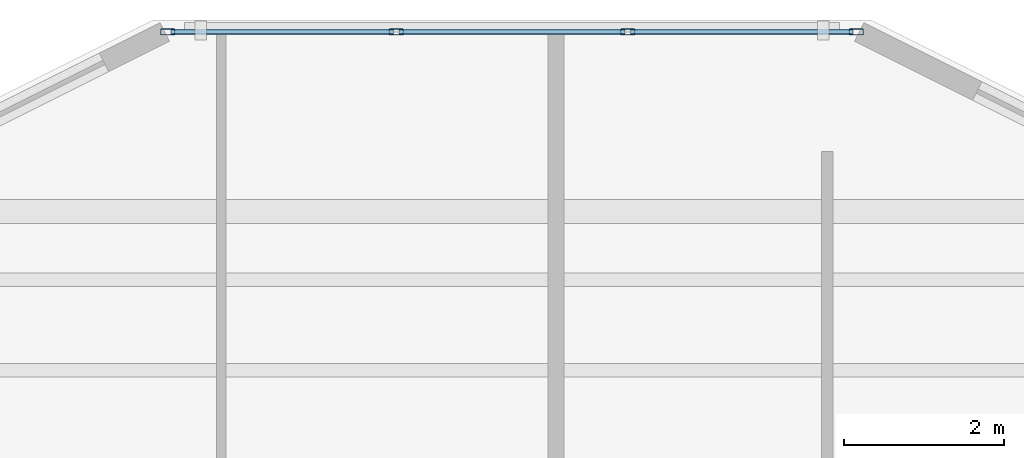
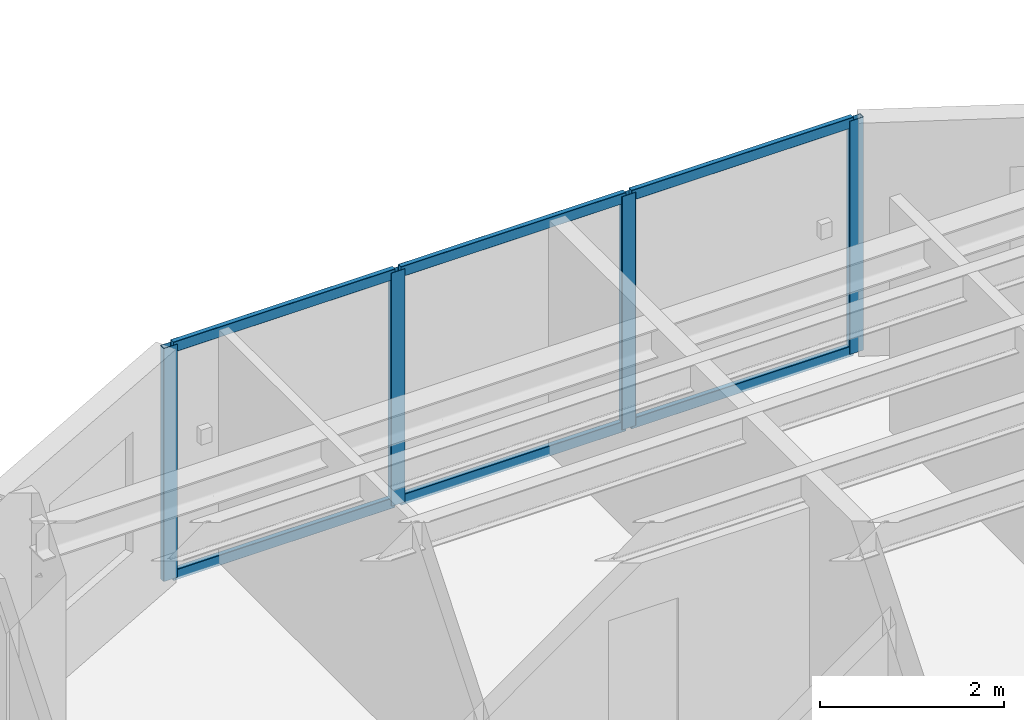
# One storey, part 4 of 13: 10 members, 1 element without a shape of its own.
"""IFC4 building model written with IfcOpenShell, lengths in metres."""

from ifc_helpers import new_model, si_unit, direction, frame, origin, origin_2d, place, context, subcontext, project, spatial, hollow_rectangle, extrude, material, layer, layer_set, material_profile, profile_set, type_object, element, aggregate, save


model = new_model("IFC4")

# Units and contexts
model_context = context("Model", 3, precision=1e-05, world=origin(), true_north=direction((0.0, 1.0)))
body_context = subcontext(model_context, "Body", "Model", "MODEL_VIEW")
ifc_project = project(units=[si_unit("LENGTHUNIT", "METRE"), si_unit("AREAUNIT", "SQUARE_METRE"), si_unit("VOLUMEUNIT", "CUBIC_METRE"), si_unit("PLANEANGLEUNIT", "RADIAN"), si_unit("MASSUNIT", "GRAM", prefix="KILO")], contexts=[model_context])

# Site, building, storey
site_placement = place(None, origin())
site = spatial("IfcSite", under=ifc_project, at=site_placement, CompositionType="ELEMENT")
building_placement = place(site_placement, origin())
building = spatial("IfcBuilding", under=site, at=building_placement, Name="Tarnavaz Court Tower", CompositionType="ELEMENT")
storey_placement = place(building_placement, frame((0.0, 0.0, 193.60009765625)))
storey = spatial("IfcBuildingStorey", under=building, at=storey_placement, Name="L52", CompositionType="ELEMENT", Elevation=193.60009765625)

# Curtain wall, members
ifc_material_1 = material(Name="Anodised Aluminium 6063-T6 and Solar Low-E Glazing", Category="aluminium")
ifc_layer = layer(ifc_material_1, 0.159912109375)
ifc_layer_set = layer_set([ifc_layer], Name="Anodised Aluminium 6063-T6 and Solar Low-E Glazing")
curtain_wall_type = type_object("IfcCurtainWallType", Name="CW-SYS-03", PredefinedType="NOTDEFINED", material=ifc_layer_set)
curtain_wall_placement = place(storey_placement, origin())
curtain_wall = element("IfcCurtainWall", 1, at=curtain_wall_placement, inside=storey, type_object=curtain_wall_type, Name="L52 Iwan Prow Curtain Wall 7", PredefinedType="NOTDEFINED")
ifc_material_2 = material(Name="Anodised Aluminium 6063-T6", Category="aluminium")
ifc_material_profile_1 = material_profile(ifc_material_2, hollow_rectangle(XDim=0.074951171875, YDim=0.179931640625, WallThickness=0.0048828125, InnerFilletRadius=0.0048828125, OuterFilletRadius=0.010009765625, at=origin_2d()), Name="ALU RHS 180X75X5")
ifc_profile_set_1 = profile_set([ifc_material_profile_1], Name="Anodised Aluminium 6063-T6")
member_type_1 = type_object("IfcMemberType", Name="CW-MUL-180", PredefinedType="MULLION", material=ifc_profile_set_1)
member_1_placement = place(storey_placement, frame((-4.3125, 22.35009765625, 0.0), z_axis=(0.0, 0.0, 1.0), x_axis=(0.0, 1.0, 0.0)))
member_1 = element("IfcMember", 2, at=member_1_placement, type_object=member_type_1, Name="CW mullion 1", PredefinedType="MULLION", context=body_context, shape_type="SweptSolid", body=[
    extrude(hollow_rectangle(XDim=0.074951171875, YDim=0.179931640625, WallThickness=0.0048828125, InnerFilletRadius=0.0048828125, OuterFilletRadius=0.010009765625, at=origin_2d()), origin(), (0.0, 0.0, 1.0), 3.099853515625),
])
member_2_placement = place(storey_placement, frame((-1.449951171875, 22.35009765625, 0.0), z_axis=(0.0, 0.0, 1.0), x_axis=(0.0, 1.0, 0.0)))
member_2 = element("IfcMember", 3, at=member_2_placement, type_object=member_type_1, Name="CW mullion 2", PredefinedType="MULLION", context=body_context, shape_type="SweptSolid", body=[
    extrude(hollow_rectangle(XDim=0.074951171875, YDim=0.179931640625, WallThickness=0.0048828125, InnerFilletRadius=0.0048828125, OuterFilletRadius=0.010009765625, at=origin_2d()), origin(), (0.0, 0.0, 1.0), 3.099853515625),
])
member_3_placement = place(storey_placement, frame((1.449951171875, 22.35009765625, 0.0), z_axis=(0.0, 0.0, 1.0), x_axis=(0.0, 1.0, 0.0)))
member_3 = element("IfcMember", 4, at=member_3_placement, type_object=member_type_1, Name="CW mullion 3", PredefinedType="MULLION", context=body_context, shape_type="SweptSolid", body=[
    extrude(hollow_rectangle(XDim=0.074951171875, YDim=0.179931640625, WallThickness=0.0048828125, InnerFilletRadius=0.0048828125, OuterFilletRadius=0.010009765625, at=origin_2d()), origin(), (0.0, 0.0, 1.0), 3.099853515625),
])
member_4_placement = place(storey_placement, frame((4.3125, 22.35009765625, 0.0), z_axis=(0.0, 0.0, 1.0), x_axis=(0.0, 1.0, 0.0)))
member_4 = element("IfcMember", 5, at=member_4_placement, type_object=member_type_1, Name="CW mullion 4", PredefinedType="MULLION", context=body_context, shape_type="SweptSolid", body=[
    extrude(hollow_rectangle(XDim=0.074951171875, YDim=0.179931640625, WallThickness=0.0048828125, InnerFilletRadius=0.0048828125, OuterFilletRadius=0.010009765625, at=origin_2d()), origin(), (0.0, 0.0, 1.0), 3.099853515625),
])
ifc_material_profile_2 = material_profile(ifc_material_2, hollow_rectangle(XDim=0.06494140625, YDim=0.139892578125, WallThickness=0.00390625, InnerFilletRadius=0.00390625, OuterFilletRadius=0.008056640625, at=origin_2d()), Name="ALU RHS 140X65X4")
ifc_profile_set_2 = profile_set([ifc_material_profile_2], Name="Anodised Aluminium 6063-T6")
member_type_2 = type_object("IfcMemberType", Name="CW-TRN-140", PredefinedType="USERDEFINED", material=ifc_profile_set_2)
member_5_placement = place(storey_placement, frame((-4.27490234375, 22.35009765625, 0.032470703125), z_axis=(1.0, 0.0, 0.0), x_axis=(0.0, 1.0, 0.0)))
member_5 = element("IfcMember", 6, at=member_5_placement, type_object=member_type_2, Name="CW transom 1.1", ObjectType="TRANSOM", PredefinedType="USERDEFINED", context=body_context, shape_type="SweptSolid", body=[
    extrude(hollow_rectangle(XDim=0.06494140625, YDim=0.139892578125, WallThickness=0.00390625, InnerFilletRadius=0.00390625, OuterFilletRadius=0.008056640625, at=origin_2d()), origin(), (0.0, 0.0, 1.0), 2.787353515625),
])
member_6_placement = place(storey_placement, frame((-4.27490234375, 22.35009765625, 3.0673828125), z_axis=(1.0, 0.0, 0.0), x_axis=(0.0, 1.0, 0.0)))
member_6 = element("IfcMember", 7, at=member_6_placement, type_object=member_type_2, Name="CW transom 1.2", ObjectType="TRANSOM", PredefinedType="USERDEFINED", context=body_context, shape_type="SweptSolid", body=[
    extrude(hollow_rectangle(XDim=0.06494140625, YDim=0.139892578125, WallThickness=0.00390625, InnerFilletRadius=0.00390625, OuterFilletRadius=0.008056640625, at=origin_2d()), origin(), (0.0, 0.0, 1.0), 2.787353515625),
])
member_7_placement = place(storey_placement, frame((-1.41259765625, 22.35009765625, 0.032470703125), z_axis=(1.0, 0.0, 0.0), x_axis=(0.0, 1.0, 0.0)))
member_7 = element("IfcMember", 8, at=member_7_placement, type_object=member_type_2, Name="CW transom 2.1", ObjectType="TRANSOM", PredefinedType="USERDEFINED", context=body_context, shape_type="SweptSolid", body=[
    extrude(hollow_rectangle(XDim=0.06494140625, YDim=0.139892578125, WallThickness=0.00390625, InnerFilletRadius=0.00390625, OuterFilletRadius=0.008056640625, at=origin_2d()), origin(), (0.0, 0.0, 1.0), 2.8251953125),
])
member_8_placement = place(storey_placement, frame((-1.41259765625, 22.35009765625, 3.0673828125), z_axis=(1.0, 0.0, 0.0), x_axis=(0.0, 1.0, 0.0)))
member_8 = element("IfcMember", 9, at=member_8_placement, type_object=member_type_2, Name="CW transom 2.2", ObjectType="TRANSOM", PredefinedType="USERDEFINED", context=body_context, shape_type="SweptSolid", body=[
    extrude(hollow_rectangle(XDim=0.06494140625, YDim=0.139892578125, WallThickness=0.00390625, InnerFilletRadius=0.00390625, OuterFilletRadius=0.008056640625, at=origin_2d()), origin(), (0.0, 0.0, 1.0), 2.8251953125),
])
member_9_placement = place(storey_placement, frame((1.487548828125, 22.35009765625, 0.032470703125), z_axis=(1.0, 0.0, 0.0), x_axis=(0.0, 1.0, 0.0)))
member_9 = element("IfcMember", 10, at=member_9_placement, type_object=member_type_2, Name="CW transom 3.1", ObjectType="TRANSOM", PredefinedType="USERDEFINED", context=body_context, shape_type="SweptSolid", body=[
    extrude(hollow_rectangle(XDim=0.06494140625, YDim=0.139892578125, WallThickness=0.00390625, InnerFilletRadius=0.00390625, OuterFilletRadius=0.008056640625, at=origin_2d()), origin(), (0.0, 0.0, 1.0), 2.787353515625),
])
member_10_placement = place(storey_placement, frame((1.487548828125, 22.35009765625, 3.0673828125), z_axis=(1.0, 0.0, 0.0), x_axis=(0.0, 1.0, 0.0)))
member_10 = element("IfcMember", 11, at=member_10_placement, type_object=member_type_2, Name="CW transom 3.2", ObjectType="TRANSOM", PredefinedType="USERDEFINED", context=body_context, shape_type="SweptSolid", body=[
    extrude(hollow_rectangle(XDim=0.06494140625, YDim=0.139892578125, WallThickness=0.00390625, InnerFilletRadius=0.00390625, OuterFilletRadius=0.008056640625, at=origin_2d()), origin(), (0.0, 0.0, 1.0), 2.787353515625),
])
aggregate(curtain_wall, [member_1, member_2, member_3, member_4, member_5, member_6, member_7, member_8, member_9, member_10])

save(model, "model.ifc")
